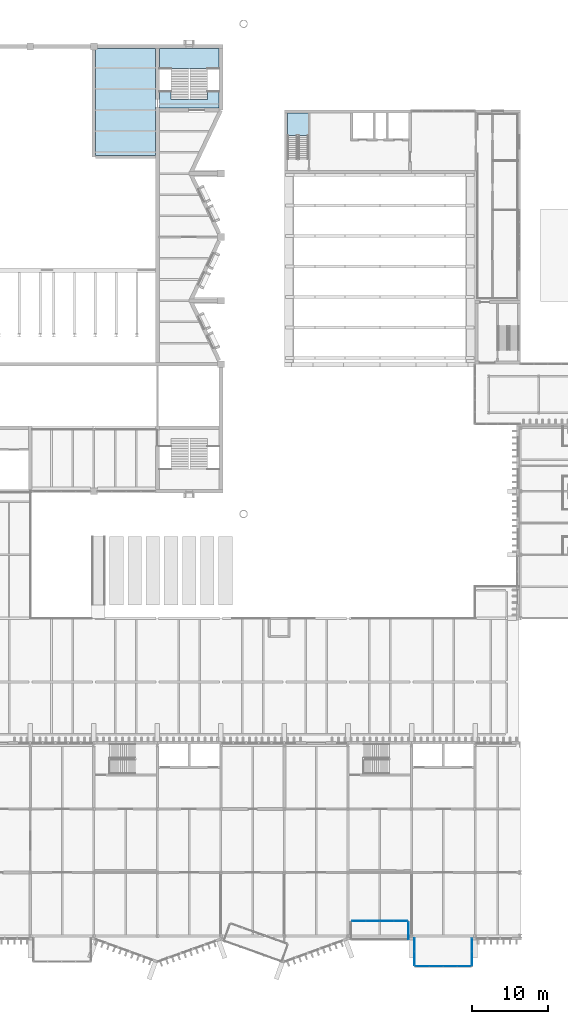
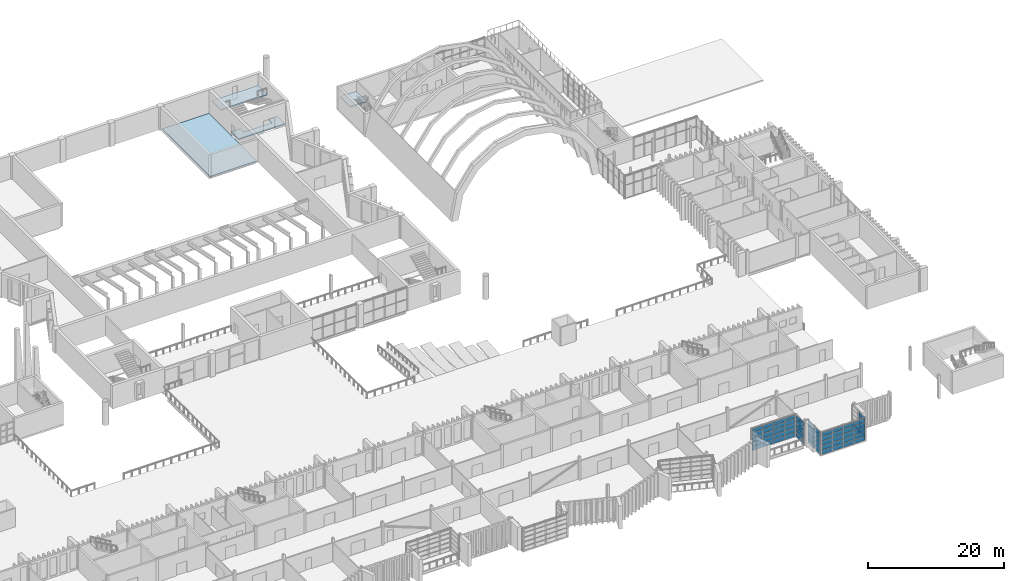
# One storey, part 53 of 96: 61 plates, 4 slabs, 7 elements without a shape of their own.
"""IFC4 building model written with IfcOpenShell, lengths in metres."""

from ifc_helpers import new_model, si_unit, direction, frame, origin, origin_2d, place, context, subcontext, project, spatial, polyline, rectangle, outline, extrude, material, layer, layer_set, type_object, element, aggregate, save


model = new_model("IFC4")

# Units and contexts
model_context = context("Model", 3, precision=1e-05, world=origin(), true_north=direction((0.0, 1.0)))
body_context = subcontext(model_context, "Body", "Model", "MODEL_VIEW")
ifc_project = project(units=[si_unit("LENGTHUNIT", "METRE"), si_unit("AREAUNIT", "SQUARE_METRE"), si_unit("VOLUMEUNIT", "CUBIC_METRE"), si_unit("PLANEANGLEUNIT", "RADIAN"), si_unit("MASSUNIT", "GRAM", prefix="KILO")], contexts=[model_context])

# Site, building, storey
site_placement = place(None, origin())
site = spatial("IfcSite", under=ifc_project, at=site_placement, CompositionType="ELEMENT")
building_placement = place(site_placement, origin())
building = spatial("IfcBuilding", under=site, at=building_placement, Name="Cresset Court Congress Hotel", CompositionType="ELEMENT")
storey_placement = place(building_placement, frame((0.0, 0.0, 6.0)))
storey = spatial("IfcBuildingStorey", under=building, at=storey_placement, Name="L01", CompositionType="ELEMENT", Elevation=6.0)

# Curtain wall, plates
ifc_material_1 = material(Name="Aluminium frame with double glazing", Category="aluminium")
ifc_layer_1 = layer(ifc_material_1, 0.199951171875)
ifc_layer_set_1 = layer_set([ifc_layer_1], Name="Glazed box curtain wall 1680 module")
curtain_wall_type = type_object("IfcCurtainWallType", Name="Glazed box curtain wall 1680 module", PredefinedType="NOTDEFINED", material=ifc_layer_set_1)
curtain_wall_1_placement = place(storey_placement, origin())
curtain_wall_1 = element("IfcCurtainWall", 1, at=curtain_wall_1_placement, inside=storey, type_object=curtain_wall_type, Name="Glazed box S0118 front", PredefinedType="NOTDEFINED")
ifc_material_2 = material(Name="Toughened double glazing", Category="glass")
ifc_layer_2 = layer(ifc_material_2, 0.028076171875)
ifc_layer_set_2 = layer_set([ifc_layer_2], Name="Box glass panel 28")
plate_type_1 = type_object("IfcPlateType", Name="Box glass panel 28", PredefinedType="CURTAIN_PANEL", material=ifc_layer_set_2)
plate_1_placement = place(storey_placement, frame((135.840087890625, 2.0, 0.06005859375), z_axis=(0.0, 0.0, 1.0), x_axis=(1.0, 0.0, 0.0)))
plate_1 = element("IfcPlate", 2, at=plate_1_placement, type_object=plate_type_1, Name="B-X1 panel 1.1", PredefinedType="CURTAIN_PANEL", context=body_context, shape_type="SweptSolid", body=[
    extrude(rectangle(XDim=1.760009765625, YDim=0.028076171875, at=origin_2d()), origin(), (0.0, 0.0, 1.0), 0.739990234375),
])
plate_2_placement = place(storey_placement, frame((135.840087890625, 2.0, 0.860107421875), z_axis=(0.0, 0.0, 1.0), x_axis=(1.0, 0.0, 0.0)))
plate_2 = element("IfcPlate", 3, at=plate_2_placement, type_object=plate_type_1, Name="B-X1 panel 1.2", PredefinedType="CURTAIN_PANEL", context=body_context, shape_type="SweptSolid", body=[
    extrude(rectangle(XDim=1.760009765625, YDim=0.028076171875, at=origin_2d()), origin(), (0.0, 0.0, 1.0), 0.77001953125),
])
plate_3_placement = place(storey_placement, frame((135.840087890625, 2.0, 1.68994140625), z_axis=(0.0, 0.0, 1.0), x_axis=(1.0, 0.0, 0.0)))
plate_3 = element("IfcPlate", 4, at=plate_3_placement, type_object=plate_type_1, Name="B-X1 panel 1.3", PredefinedType="CURTAIN_PANEL", context=body_context, shape_type="SweptSolid", body=[
    extrude(rectangle(XDim=1.760009765625, YDim=0.028076171875, at=origin_2d()), origin(), (0.0, 0.0, 1.0), 0.77001953125),
])
plate_4_placement = place(storey_placement, frame((135.840087890625, 2.0, 2.52001953125), z_axis=(0.0, 0.0, 1.0), x_axis=(1.0, 0.0, 0.0)))
plate_4 = element("IfcPlate", 5, at=plate_4_placement, type_object=plate_type_1, Name="B-X1 panel 1.4", PredefinedType="CURTAIN_PANEL", context=body_context, shape_type="SweptSolid", body=[
    extrude(rectangle(XDim=1.760009765625, YDim=0.028076171875, at=origin_2d()), origin(), (0.0, 0.0, 1.0), 0.77001953125),
])
plate_5_placement = place(storey_placement, frame((137.675048828125, 2.0, 0.06005859375), z_axis=(0.0, 0.0, 1.0), x_axis=(1.0, 0.0, 0.0)))
plate_5 = element("IfcPlate", 6, at=plate_5_placement, type_object=plate_type_1, Name="B-X1 panel 2.1", PredefinedType="CURTAIN_PANEL", context=body_context, shape_type="SweptSolid", body=[
    extrude(rectangle(XDim=1.7900390625, YDim=0.028076171875, at=origin_2d()), origin(), (0.0, 0.0, 1.0), 0.739990234375),
])
plate_6_placement = place(storey_placement, frame((137.675048828125, 2.0, 0.860107421875), z_axis=(0.0, 0.0, 1.0), x_axis=(1.0, 0.0, 0.0)))
plate_6 = element("IfcPlate", 7, at=plate_6_placement, type_object=plate_type_1, Name="B-X1 panel 2.2", PredefinedType="CURTAIN_PANEL", context=body_context, shape_type="SweptSolid", body=[
    extrude(rectangle(XDim=1.7900390625, YDim=0.028076171875, at=origin_2d()), origin(), (0.0, 0.0, 1.0), 0.77001953125),
])
plate_7_placement = place(storey_placement, frame((137.675048828125, 2.0, 1.68994140625), z_axis=(0.0, 0.0, 1.0), x_axis=(1.0, 0.0, 0.0)))
plate_7 = element("IfcPlate", 8, at=plate_7_placement, type_object=plate_type_1, Name="B-X1 panel 2.3", PredefinedType="CURTAIN_PANEL", context=body_context, shape_type="SweptSolid", body=[
    extrude(rectangle(XDim=1.7900390625, YDim=0.028076171875, at=origin_2d()), origin(), (0.0, 0.0, 1.0), 0.77001953125),
])
plate_8_placement = place(storey_placement, frame((137.675048828125, 2.0, 2.52001953125), z_axis=(0.0, 0.0, 1.0), x_axis=(1.0, 0.0, 0.0)))
plate_8 = element("IfcPlate", 9, at=plate_8_placement, type_object=plate_type_1, Name="B-X1 panel 2.4", PredefinedType="CURTAIN_PANEL", context=body_context, shape_type="SweptSolid", body=[
    extrude(rectangle(XDim=1.7900390625, YDim=0.028076171875, at=origin_2d()), origin(), (0.0, 0.0, 1.0), 0.77001953125),
])
plate_9_placement = place(storey_placement, frame((139.52490234375, 2.0, 0.06005859375), z_axis=(0.0, 0.0, 1.0), x_axis=(1.0, 0.0, 0.0)))
plate_9 = element("IfcPlate", 10, at=plate_9_placement, type_object=plate_type_1, Name="B-X1 panel 3.1", PredefinedType="CURTAIN_PANEL", context=body_context, shape_type="SweptSolid", body=[
    extrude(rectangle(XDim=1.7900390625, YDim=0.028076171875, at=origin_2d()), origin(), (0.0, 0.0, 1.0), 0.739990234375),
])
plate_10_placement = place(storey_placement, frame((139.52490234375, 2.0, 0.860107421875), z_axis=(0.0, 0.0, 1.0), x_axis=(1.0, 0.0, 0.0)))
plate_10 = element("IfcPlate", 11, at=plate_10_placement, type_object=plate_type_1, Name="B-X1 panel 3.2", PredefinedType="CURTAIN_PANEL", context=body_context, shape_type="SweptSolid", body=[
    extrude(rectangle(XDim=1.7900390625, YDim=0.028076171875, at=origin_2d()), origin(), (0.0, 0.0, 1.0), 0.77001953125),
])
plate_11_placement = place(storey_placement, frame((139.52490234375, 2.0, 1.68994140625), z_axis=(0.0, 0.0, 1.0), x_axis=(1.0, 0.0, 0.0)))
plate_11 = element("IfcPlate", 12, at=plate_11_placement, type_object=plate_type_1, Name="B-X1 panel 3.3", PredefinedType="CURTAIN_PANEL", context=body_context, shape_type="SweptSolid", body=[
    extrude(rectangle(XDim=1.7900390625, YDim=0.028076171875, at=origin_2d()), origin(), (0.0, 0.0, 1.0), 0.77001953125),
])
plate_12_placement = place(storey_placement, frame((139.52490234375, 2.0, 2.52001953125), z_axis=(0.0, 0.0, 1.0), x_axis=(1.0, 0.0, 0.0)))
plate_12 = element("IfcPlate", 13, at=plate_12_placement, type_object=plate_type_1, Name="B-X1 panel 3.4", PredefinedType="CURTAIN_PANEL", context=body_context, shape_type="SweptSolid", body=[
    extrude(rectangle(XDim=1.7900390625, YDim=0.028076171875, at=origin_2d()), origin(), (0.0, 0.0, 1.0), 0.77001953125),
])
plate_13_placement = place(storey_placement, frame((141.360107421875, 2.0, 0.06005859375), z_axis=(0.0, 0.0, 1.0), x_axis=(1.0, 0.0, 0.0)))
plate_13 = element("IfcPlate", 14, at=plate_13_placement, type_object=plate_type_1, Name="B-X1 panel 4.1", PredefinedType="CURTAIN_PANEL", context=body_context, shape_type="SweptSolid", body=[
    extrude(rectangle(XDim=1.760009765625, YDim=0.028076171875, at=origin_2d()), origin(), (0.0, 0.0, 1.0), 0.739990234375),
])
plate_14_placement = place(storey_placement, frame((141.360107421875, 2.0, 0.860107421875), z_axis=(0.0, 0.0, 1.0), x_axis=(1.0, 0.0, 0.0)))
plate_14 = element("IfcPlate", 15, at=plate_14_placement, type_object=plate_type_1, Name="B-X1 panel 4.2", PredefinedType="CURTAIN_PANEL", context=body_context, shape_type="SweptSolid", body=[
    extrude(rectangle(XDim=1.760009765625, YDim=0.028076171875, at=origin_2d()), origin(), (0.0, 0.0, 1.0), 0.77001953125),
])
plate_15_placement = place(storey_placement, frame((141.360107421875, 2.0, 1.68994140625), z_axis=(0.0, 0.0, 1.0), x_axis=(1.0, 0.0, 0.0)))
plate_15 = element("IfcPlate", 16, at=plate_15_placement, type_object=plate_type_1, Name="B-X1 panel 4.3", PredefinedType="CURTAIN_PANEL", context=body_context, shape_type="SweptSolid", body=[
    extrude(rectangle(XDim=1.760009765625, YDim=0.028076171875, at=origin_2d()), origin(), (0.0, 0.0, 1.0), 0.77001953125),
])
plate_16_placement = place(storey_placement, frame((141.360107421875, 2.0, 2.52001953125), z_axis=(0.0, 0.0, 1.0), x_axis=(1.0, 0.0, 0.0)))
plate_16 = element("IfcPlate", 17, at=plate_16_placement, type_object=plate_type_1, Name="B-X1 panel 4.4", PredefinedType="CURTAIN_PANEL", context=body_context, shape_type="SweptSolid", body=[
    extrude(rectangle(XDim=1.760009765625, YDim=0.028076171875, at=origin_2d()), origin(), (0.0, 0.0, 1.0), 0.77001953125),
])

curtain_wall_2_placement = place(storey_placement, origin())
curtain_wall_2 = element("IfcCurtainWall", 18, at=curtain_wall_2_placement, inside=storey, type_object=curtain_wall_type, Name="Glazed box S0118 side", PredefinedType="NOTDEFINED")
plate_17_placement = place(storey_placement, frame((142.39990234375, 0.699951171875, 0.06005859375), z_axis=(0.0, 0.0, 1.0), x_axis=(0.0, 1.0, 0.0)))
plate_17 = element("IfcPlate", 19, at=plate_17_placement, type_object=plate_type_1, Name="B-X1 panel 1.1", PredefinedType="CURTAIN_PANEL", context=body_context, shape_type="SweptSolid", body=[
    extrude(rectangle(XDim=2.280029296875, YDim=0.028076171875, at=origin_2d()), origin(), (0.0, 0.0, 1.0), 0.739990234375),
])
plate_18_placement = place(storey_placement, frame((142.39990234375, 0.699951171875, 0.860107421875), z_axis=(0.0, 0.0, 1.0), x_axis=(0.0, 1.0, 0.0)))
plate_18 = element("IfcPlate", 20, at=plate_18_placement, type_object=plate_type_1, Name="B-X1 panel 1.2", PredefinedType="CURTAIN_PANEL", context=body_context, shape_type="SweptSolid", body=[
    extrude(rectangle(XDim=2.280029296875, YDim=0.028076171875, at=origin_2d()), origin(), (0.0, 0.0, 1.0), 0.77001953125),
])
plate_19_placement = place(storey_placement, frame((142.39990234375, 0.699951171875, 1.68994140625), z_axis=(0.0, 0.0, 1.0), x_axis=(0.0, 1.0, 0.0)))
plate_19 = element("IfcPlate", 21, at=plate_19_placement, type_object=plate_type_1, Name="B-X1 panel 1.3", PredefinedType="CURTAIN_PANEL", context=body_context, shape_type="SweptSolid", body=[
    extrude(rectangle(XDim=2.280029296875, YDim=0.028076171875, at=origin_2d()), origin(), (0.0, 0.0, 1.0), 0.77001953125),
])
plate_20_placement = place(storey_placement, frame((142.39990234375, 0.699951171875, 2.52001953125), z_axis=(0.0, 0.0, 1.0), x_axis=(0.0, 1.0, 0.0)))
plate_20 = element("IfcPlate", 22, at=plate_20_placement, type_object=plate_type_1, Name="B-X1 panel 1.4", PredefinedType="CURTAIN_PANEL", context=body_context, shape_type="SweptSolid", body=[
    extrude(rectangle(XDim=2.280029296875, YDim=0.028076171875, at=origin_2d()), origin(), (0.0, 0.0, 1.0), 0.77001953125),
])

curtain_wall_3_placement = place(storey_placement, origin())
curtain_wall_3 = element("IfcCurtainWall", 23, at=curtain_wall_3_placement, inside=storey, type_object=curtain_wall_type, Name="Glazed box S0121 front", PredefinedType="NOTDEFINED")
plate_21_placement = place(storey_placement, frame((144.239990234375, -4.0, 0.06005859375), z_axis=(0.0, 0.0, 1.0), x_axis=(1.0, 0.0, 0.0)))
plate_21 = element("IfcPlate", 24, at=plate_21_placement, type_object=plate_type_1, Name="B-X1 panel 1.1", PredefinedType="CURTAIN_PANEL", context=body_context, shape_type="SweptSolid", body=[
    extrude(rectangle(XDim=1.760009765625, YDim=0.028076171875, at=origin_2d()), origin(), (0.0, 0.0, 1.0), 0.739990234375),
])
plate_22_placement = place(storey_placement, frame((144.239990234375, -4.0, 0.860107421875), z_axis=(0.0, 0.0, 1.0), x_axis=(1.0, 0.0, 0.0)))
plate_22 = element("IfcPlate", 25, at=plate_22_placement, type_object=plate_type_1, Name="B-X1 panel 1.2", PredefinedType="CURTAIN_PANEL", context=body_context, shape_type="SweptSolid", body=[
    extrude(rectangle(XDim=1.760009765625, YDim=0.028076171875, at=origin_2d()), origin(), (0.0, 0.0, 1.0), 0.77001953125),
])
plate_23_placement = place(storey_placement, frame((144.239990234375, -4.0, 1.68994140625), z_axis=(0.0, 0.0, 1.0), x_axis=(1.0, 0.0, 0.0)))
plate_23 = element("IfcPlate", 26, at=plate_23_placement, type_object=plate_type_1, Name="B-X1 panel 1.3", PredefinedType="CURTAIN_PANEL", context=body_context, shape_type="SweptSolid", body=[
    extrude(rectangle(XDim=1.760009765625, YDim=0.028076171875, at=origin_2d()), origin(), (0.0, 0.0, 1.0), 0.77001953125),
])
plate_24_placement = place(storey_placement, frame((144.239990234375, -4.0, 2.52001953125), z_axis=(0.0, 0.0, 1.0), x_axis=(1.0, 0.0, 0.0)))
plate_24 = element("IfcPlate", 27, at=plate_24_placement, type_object=plate_type_1, Name="B-X1 panel 1.4", PredefinedType="CURTAIN_PANEL", context=body_context, shape_type="SweptSolid", body=[
    extrude(rectangle(XDim=1.760009765625, YDim=0.028076171875, at=origin_2d()), origin(), (0.0, 0.0, 1.0), 0.77001953125),
])
plate_25_placement = place(storey_placement, frame((146.074951171875, -4.0, 0.06005859375), z_axis=(0.0, 0.0, 1.0), x_axis=(1.0, 0.0, 0.0)))
plate_25 = element("IfcPlate", 28, at=plate_25_placement, type_object=plate_type_1, Name="B-X1 panel 2.1", PredefinedType="CURTAIN_PANEL", context=body_context, shape_type="SweptSolid", body=[
    extrude(rectangle(XDim=1.7900390625, YDim=0.028076171875, at=origin_2d()), origin(), (0.0, 0.0, 1.0), 0.739990234375),
])
plate_26_placement = place(storey_placement, frame((146.074951171875, -4.0, 0.860107421875), z_axis=(0.0, 0.0, 1.0), x_axis=(1.0, 0.0, 0.0)))
plate_26 = element("IfcPlate", 29, at=plate_26_placement, type_object=plate_type_1, Name="B-X1 panel 2.2", PredefinedType="CURTAIN_PANEL", context=body_context, shape_type="SweptSolid", body=[
    extrude(rectangle(XDim=1.7900390625, YDim=0.028076171875, at=origin_2d()), origin(), (0.0, 0.0, 1.0), 0.77001953125),
])
plate_27_placement = place(storey_placement, frame((146.074951171875, -4.0, 1.68994140625), z_axis=(0.0, 0.0, 1.0), x_axis=(1.0, 0.0, 0.0)))
plate_27 = element("IfcPlate", 30, at=plate_27_placement, type_object=plate_type_1, Name="B-X1 panel 2.3", PredefinedType="CURTAIN_PANEL", context=body_context, shape_type="SweptSolid", body=[
    extrude(rectangle(XDim=1.7900390625, YDim=0.028076171875, at=origin_2d()), origin(), (0.0, 0.0, 1.0), 0.77001953125),
])
plate_28_placement = place(storey_placement, frame((146.074951171875, -4.0, 2.52001953125), z_axis=(0.0, 0.0, 1.0), x_axis=(1.0, 0.0, 0.0)))
plate_28 = element("IfcPlate", 31, at=plate_28_placement, type_object=plate_type_1, Name="B-X1 panel 2.4", PredefinedType="CURTAIN_PANEL", context=body_context, shape_type="SweptSolid", body=[
    extrude(rectangle(XDim=1.7900390625, YDim=0.028076171875, at=origin_2d()), origin(), (0.0, 0.0, 1.0), 0.77001953125),
])
plate_29_placement = place(storey_placement, frame((147.925048828125, -4.0, 0.06005859375), z_axis=(0.0, 0.0, 1.0), x_axis=(1.0, 0.0, 0.0)))
plate_29 = element("IfcPlate", 32, at=plate_29_placement, type_object=plate_type_1, Name="B-X1 panel 3.1", PredefinedType="CURTAIN_PANEL", context=body_context, shape_type="SweptSolid", body=[
    extrude(rectangle(XDim=1.7900390625, YDim=0.028076171875, at=origin_2d()), origin(), (0.0, 0.0, 1.0), 0.739990234375),
])
plate_30_placement = place(storey_placement, frame((147.925048828125, -4.0, 0.860107421875), z_axis=(0.0, 0.0, 1.0), x_axis=(1.0, 0.0, 0.0)))
plate_30 = element("IfcPlate", 33, at=plate_30_placement, type_object=plate_type_1, Name="B-X1 panel 3.2", PredefinedType="CURTAIN_PANEL", context=body_context, shape_type="SweptSolid", body=[
    extrude(rectangle(XDim=1.7900390625, YDim=0.028076171875, at=origin_2d()), origin(), (0.0, 0.0, 1.0), 0.77001953125),
])
plate_31_placement = place(storey_placement, frame((147.925048828125, -4.0, 1.68994140625), z_axis=(0.0, 0.0, 1.0), x_axis=(1.0, 0.0, 0.0)))
plate_31 = element("IfcPlate", 34, at=plate_31_placement, type_object=plate_type_1, Name="B-X1 panel 3.3", PredefinedType="CURTAIN_PANEL", context=body_context, shape_type="SweptSolid", body=[
    extrude(rectangle(XDim=1.7900390625, YDim=0.028076171875, at=origin_2d()), origin(), (0.0, 0.0, 1.0), 0.77001953125),
])
plate_32_placement = place(storey_placement, frame((147.925048828125, -4.0, 2.52001953125), z_axis=(0.0, 0.0, 1.0), x_axis=(1.0, 0.0, 0.0)))
plate_32 = element("IfcPlate", 35, at=plate_32_placement, type_object=plate_type_1, Name="B-X1 panel 3.4", PredefinedType="CURTAIN_PANEL", context=body_context, shape_type="SweptSolid", body=[
    extrude(rectangle(XDim=1.7900390625, YDim=0.028076171875, at=origin_2d()), origin(), (0.0, 0.0, 1.0), 0.77001953125),
])
plate_33_placement = place(storey_placement, frame((149.760009765625, -4.0, 0.06005859375), z_axis=(0.0, 0.0, 1.0), x_axis=(1.0, 0.0, 0.0)))
plate_33 = element("IfcPlate", 36, at=plate_33_placement, type_object=plate_type_1, Name="B-X1 panel 4.1", PredefinedType="CURTAIN_PANEL", context=body_context, shape_type="SweptSolid", body=[
    extrude(rectangle(XDim=1.760009765625, YDim=0.028076171875, at=origin_2d()), origin(), (0.0, 0.0, 1.0), 0.739990234375),
])
plate_34_placement = place(storey_placement, frame((149.760009765625, -4.0, 0.860107421875), z_axis=(0.0, 0.0, 1.0), x_axis=(1.0, 0.0, 0.0)))
plate_34 = element("IfcPlate", 37, at=plate_34_placement, type_object=plate_type_1, Name="B-X1 panel 4.2", PredefinedType="CURTAIN_PANEL", context=body_context, shape_type="SweptSolid", body=[
    extrude(rectangle(XDim=1.760009765625, YDim=0.028076171875, at=origin_2d()), origin(), (0.0, 0.0, 1.0), 0.77001953125),
])
plate_35_placement = place(storey_placement, frame((149.760009765625, -4.0, 1.68994140625), z_axis=(0.0, 0.0, 1.0), x_axis=(1.0, 0.0, 0.0)))
plate_35 = element("IfcPlate", 38, at=plate_35_placement, type_object=plate_type_1, Name="B-X1 panel 4.3", PredefinedType="CURTAIN_PANEL", context=body_context, shape_type="SweptSolid", body=[
    extrude(rectangle(XDim=1.760009765625, YDim=0.028076171875, at=origin_2d()), origin(), (0.0, 0.0, 1.0), 0.77001953125),
])
plate_36_placement = place(storey_placement, frame((149.760009765625, -4.0, 2.52001953125), z_axis=(0.0, 0.0, 1.0), x_axis=(1.0, 0.0, 0.0)))
plate_36 = element("IfcPlate", 39, at=plate_36_placement, type_object=plate_type_1, Name="B-X1 panel 4.4", PredefinedType="CURTAIN_PANEL", context=body_context, shape_type="SweptSolid", body=[
    extrude(rectangle(XDim=1.760009765625, YDim=0.028076171875, at=origin_2d()), origin(), (0.0, 0.0, 1.0), 0.77001953125),
])

curtain_wall_4_placement = place(storey_placement, origin())
curtain_wall_4 = element("IfcCurtainWall", 40, at=curtain_wall_4_placement, inside=storey, type_object=curtain_wall_type, Name="Glazed box S0121 side", PredefinedType="NOTDEFINED")
plate_37_placement = place(storey_placement, frame((143.199951171875, -1.139892578125, 0.06005859375), z_axis=(0.0, 0.0, 1.0), x_axis=(0.0, -1.0, 0.0)))
plate_37 = element("IfcPlate", 41, at=plate_37_placement, type_object=plate_type_1, Name="B-X1 panel 1.1", PredefinedType="CURTAIN_PANEL", context=body_context, shape_type="SweptSolid", body=[
    extrude(rectangle(XDim=1.760009765625, YDim=0.028076171875, at=origin_2d()), origin(), (0.0, 0.0, 1.0), 0.739990234375),
])
plate_38_placement = place(storey_placement, frame((143.199951171875, -1.139892578125, 0.860107421875), z_axis=(0.0, 0.0, 1.0), x_axis=(0.0, -1.0, 0.0)))
plate_38 = element("IfcPlate", 42, at=plate_38_placement, type_object=plate_type_1, Name="B-X1 panel 1.2", PredefinedType="CURTAIN_PANEL", context=body_context, shape_type="SweptSolid", body=[
    extrude(rectangle(XDim=1.760009765625, YDim=0.028076171875, at=origin_2d()), origin(), (0.0, 0.0, 1.0), 0.77001953125),
])
plate_39_placement = place(storey_placement, frame((143.199951171875, -1.139892578125, 1.68994140625), z_axis=(0.0, 0.0, 1.0), x_axis=(0.0, -1.0, 0.0)))
plate_39 = element("IfcPlate", 43, at=plate_39_placement, type_object=plate_type_1, Name="B-X1 panel 1.3", PredefinedType="CURTAIN_PANEL", context=body_context, shape_type="SweptSolid", body=[
    extrude(rectangle(XDim=1.760009765625, YDim=0.028076171875, at=origin_2d()), origin(), (0.0, 0.0, 1.0), 0.77001953125),
])
plate_40_placement = place(storey_placement, frame((143.199951171875, -1.139892578125, 2.52001953125), z_axis=(0.0, 0.0, 1.0), x_axis=(0.0, -1.0, 0.0)))
plate_40 = element("IfcPlate", 44, at=plate_40_placement, type_object=plate_type_1, Name="B-X1 panel 1.4", PredefinedType="CURTAIN_PANEL", context=body_context, shape_type="SweptSolid", body=[
    extrude(rectangle(XDim=1.760009765625, YDim=0.028076171875, at=origin_2d()), origin(), (0.0, 0.0, 1.0), 0.77001953125),
])
plate_41_placement = place(storey_placement, frame((143.199951171875, -2.9599609375, 0.06005859375), z_axis=(0.0, 0.0, 1.0), x_axis=(0.0, -1.0, 0.0)))
plate_41 = element("IfcPlate", 45, at=plate_41_placement, type_object=plate_type_1, Name="B-X1 panel 2.1", PredefinedType="CURTAIN_PANEL", context=body_context, shape_type="SweptSolid", body=[
    extrude(rectangle(XDim=1.760009765625, YDim=0.028076171875, at=origin_2d()), origin(), (0.0, 0.0, 1.0), 0.739990234375),
])
plate_42_placement = place(storey_placement, frame((143.199951171875, -2.9599609375, 0.860107421875), z_axis=(0.0, 0.0, 1.0), x_axis=(0.0, -1.0, 0.0)))
plate_42 = element("IfcPlate", 46, at=plate_42_placement, type_object=plate_type_1, Name="B-X1 panel 2.2", PredefinedType="CURTAIN_PANEL", context=body_context, shape_type="SweptSolid", body=[
    extrude(rectangle(XDim=1.760009765625, YDim=0.028076171875, at=origin_2d()), origin(), (0.0, 0.0, 1.0), 0.77001953125),
])
plate_43_placement = place(storey_placement, frame((143.199951171875, -2.9599609375, 1.68994140625), z_axis=(0.0, 0.0, 1.0), x_axis=(0.0, -1.0, 0.0)))
plate_43 = element("IfcPlate", 47, at=plate_43_placement, type_object=plate_type_1, Name="B-X1 panel 2.3", PredefinedType="CURTAIN_PANEL", context=body_context, shape_type="SweptSolid", body=[
    extrude(rectangle(XDim=1.760009765625, YDim=0.028076171875, at=origin_2d()), origin(), (0.0, 0.0, 1.0), 0.77001953125),
])
plate_44_placement = place(storey_placement, frame((143.199951171875, -2.9599609375, 2.52001953125), z_axis=(0.0, 0.0, 1.0), x_axis=(0.0, -1.0, 0.0)))
plate_44 = element("IfcPlate", 48, at=plate_44_placement, type_object=plate_type_1, Name="B-X1 panel 2.4", PredefinedType="CURTAIN_PANEL", context=body_context, shape_type="SweptSolid", body=[
    extrude(rectangle(XDim=1.760009765625, YDim=0.028076171875, at=origin_2d()), origin(), (0.0, 0.0, 1.0), 0.77001953125),
])

curtain_wall_5_placement = place(storey_placement, origin())
curtain_wall_5 = element("IfcCurtainWall", 49, at=curtain_wall_5_placement, inside=storey, type_object=curtain_wall_type, Name="Glazed box S0121 side", PredefinedType="NOTDEFINED")
plate_45_placement = place(storey_placement, frame((150.800048828125, -1.139892578125, 0.06005859375), z_axis=(0.0, 0.0, 1.0), x_axis=(0.0, -1.0, 0.0)))
plate_45 = element("IfcPlate", 50, at=plate_45_placement, type_object=plate_type_1, Name="B-X1 panel 1.1", PredefinedType="CURTAIN_PANEL", context=body_context, shape_type="SweptSolid", body=[
    extrude(rectangle(XDim=1.760009765625, YDim=0.028076171875, at=origin_2d()), origin(), (0.0, 0.0, 1.0), 0.739990234375),
])
plate_46_placement = place(storey_placement, frame((150.800048828125, -2.9599609375, 0.06005859375), z_axis=(0.0, 0.0, 1.0), x_axis=(0.0, -1.0, 0.0)))
plate_46 = element("IfcPlate", 51, at=plate_46_placement, type_object=plate_type_1, Name="B-X1 panel 2.1", PredefinedType="CURTAIN_PANEL", context=body_context, shape_type="SweptSolid", body=[
    extrude(rectangle(XDim=1.760009765625, YDim=0.028076171875, at=origin_2d()), origin(), (0.0, 0.0, 1.0), 0.739990234375),
])
plate_47_placement = place(storey_placement, frame((150.800048828125, -2.9599609375, 0.860107421875), z_axis=(0.0, 0.0, 1.0), x_axis=(0.0, -1.0, 0.0)))
plate_47 = element("IfcPlate", 52, at=plate_47_placement, type_object=plate_type_1, Name="B-X1 panel 2.2", PredefinedType="CURTAIN_PANEL", context=body_context, shape_type="SweptSolid", body=[
    extrude(rectangle(XDim=1.760009765625, YDim=0.028076171875, at=origin_2d()), origin(), (0.0, 0.0, 1.0), 0.77001953125),
])
plate_48_placement = place(storey_placement, frame((150.800048828125, -2.9599609375, 1.68994140625), z_axis=(0.0, 0.0, 1.0), x_axis=(0.0, -1.0, 0.0)))
plate_48 = element("IfcPlate", 53, at=plate_48_placement, type_object=plate_type_1, Name="B-X1 panel 2.3", PredefinedType="CURTAIN_PANEL", context=body_context, shape_type="SweptSolid", body=[
    extrude(rectangle(XDim=1.760009765625, YDim=0.028076171875, at=origin_2d()), origin(), (0.0, 0.0, 1.0), 0.77001953125),
])
plate_49_placement = place(storey_placement, frame((150.800048828125, -2.9599609375, 2.52001953125), z_axis=(0.0, 0.0, 1.0), x_axis=(0.0, -1.0, 0.0)))
plate_49 = element("IfcPlate", 54, at=plate_49_placement, type_object=plate_type_1, Name="B-X1 panel 2.4", PredefinedType="CURTAIN_PANEL", context=body_context, shape_type="SweptSolid", body=[
    extrude(rectangle(XDim=1.760009765625, YDim=0.028076171875, at=origin_2d()), origin(), (0.0, 0.0, 1.0), 0.77001953125),
])

# Plate
ifc_material_3 = material(Name="Insulated aluminium spandrel panel", Category="aluminium")
ifc_layer_3 = layer(ifc_material_3, 0.0400390625)
ifc_layer_set_3 = layer_set([ifc_layer_3], Name="Box spandrel panel 40")
plate_type_2 = type_object("IfcPlateType", Name="Box spandrel panel 40", PredefinedType="CURTAIN_PANEL", material=ifc_layer_set_3)
plate_50_placement = place(storey_placement, frame((135.840087890625, 2.0, 3.35009765625), z_axis=(0.0, 0.0, 1.0), x_axis=(1.0, 0.0, 0.0)))
plate_50 = element("IfcPlate", 55, at=plate_50_placement, type_object=plate_type_2, Name="B-X1 spandrel panel 1.5", PredefinedType="CURTAIN_PANEL", context=body_context, shape_type="SweptSolid", body=[
    extrude(rectangle(XDim=1.760009765625, YDim=0.0400390625, at=origin_2d()), origin(), (0.0, 0.0, 1.0), 0.639892578125),
])

plate_51_placement = place(storey_placement, frame((137.675048828125, 2.0, 3.35009765625), z_axis=(0.0, 0.0, 1.0), x_axis=(1.0, 0.0, 0.0)))
plate_51 = element("IfcPlate", 56, at=plate_51_placement, type_object=plate_type_2, Name="B-X1 spandrel panel 2.5", PredefinedType="CURTAIN_PANEL", context=body_context, shape_type="SweptSolid", body=[
    extrude(rectangle(XDim=1.7900390625, YDim=0.0400390625, at=origin_2d()), origin(), (0.0, 0.0, 1.0), 0.639892578125),
])

plate_52_placement = place(storey_placement, frame((139.52490234375, 2.0, 3.35009765625), z_axis=(0.0, 0.0, 1.0), x_axis=(1.0, 0.0, 0.0)))
plate_52 = element("IfcPlate", 57, at=plate_52_placement, type_object=plate_type_2, Name="B-X1 spandrel panel 3.5", PredefinedType="CURTAIN_PANEL", context=body_context, shape_type="SweptSolid", body=[
    extrude(rectangle(XDim=1.7900390625, YDim=0.0400390625, at=origin_2d()), origin(), (0.0, 0.0, 1.0), 0.639892578125),
])

plate_53_placement = place(storey_placement, frame((141.360107421875, 2.0, 3.35009765625), z_axis=(0.0, 0.0, 1.0), x_axis=(1.0, 0.0, 0.0)))
plate_53 = element("IfcPlate", 58, at=plate_53_placement, type_object=plate_type_2, Name="B-X1 spandrel panel 4.5", PredefinedType="CURTAIN_PANEL", context=body_context, shape_type="SweptSolid", body=[
    extrude(rectangle(XDim=1.760009765625, YDim=0.0400390625, at=origin_2d()), origin(), (0.0, 0.0, 1.0), 0.639892578125),
])

aggregate(curtain_wall_1, [plate_1, plate_2, plate_3, plate_4, plate_50, plate_5, plate_6, plate_7, plate_8, plate_51, plate_9, plate_10, plate_11, plate_12, plate_52, plate_13, plate_14, plate_15, plate_16, plate_53])

plate_54_placement = place(storey_placement, frame((142.39990234375, 0.699951171875, 3.35009765625), z_axis=(0.0, 0.0, 1.0), x_axis=(0.0, 1.0, 0.0)))
plate_54 = element("IfcPlate", 59, at=plate_54_placement, type_object=plate_type_2, Name="B-X1 spandrel panel 1.5", PredefinedType="CURTAIN_PANEL", context=body_context, shape_type="SweptSolid", body=[
    extrude(rectangle(XDim=2.280029296875, YDim=0.0400390625, at=origin_2d()), origin(), (0.0, 0.0, 1.0), 0.639892578125),
])

aggregate(curtain_wall_2, [plate_17, plate_18, plate_19, plate_20, plate_54])

plate_55_placement = place(storey_placement, frame((144.239990234375, -4.0, 3.35009765625), z_axis=(0.0, 0.0, 1.0), x_axis=(1.0, 0.0, 0.0)))
plate_55 = element("IfcPlate", 60, at=plate_55_placement, type_object=plate_type_2, Name="B-X1 spandrel panel 1.5", PredefinedType="CURTAIN_PANEL", context=body_context, shape_type="SweptSolid", body=[
    extrude(rectangle(XDim=1.760009765625, YDim=0.0400390625, at=origin_2d()), origin(), (0.0, 0.0, 1.0), 0.639892578125),
])

plate_56_placement = place(storey_placement, frame((146.074951171875, -4.0, 3.35009765625), z_axis=(0.0, 0.0, 1.0), x_axis=(1.0, 0.0, 0.0)))
plate_56 = element("IfcPlate", 61, at=plate_56_placement, type_object=plate_type_2, Name="B-X1 spandrel panel 2.5", PredefinedType="CURTAIN_PANEL", context=body_context, shape_type="SweptSolid", body=[
    extrude(rectangle(XDim=1.7900390625, YDim=0.0400390625, at=origin_2d()), origin(), (0.0, 0.0, 1.0), 0.639892578125),
])

plate_57_placement = place(storey_placement, frame((147.925048828125, -4.0, 3.35009765625), z_axis=(0.0, 0.0, 1.0), x_axis=(1.0, 0.0, 0.0)))
plate_57 = element("IfcPlate", 62, at=plate_57_placement, type_object=plate_type_2, Name="B-X1 spandrel panel 3.5", PredefinedType="CURTAIN_PANEL", context=body_context, shape_type="SweptSolid", body=[
    extrude(rectangle(XDim=1.7900390625, YDim=0.0400390625, at=origin_2d()), origin(), (0.0, 0.0, 1.0), 0.639892578125),
])

plate_58_placement = place(storey_placement, frame((149.760009765625, -4.0, 3.35009765625), z_axis=(0.0, 0.0, 1.0), x_axis=(1.0, 0.0, 0.0)))
plate_58 = element("IfcPlate", 63, at=plate_58_placement, type_object=plate_type_2, Name="B-X1 spandrel panel 4.5", PredefinedType="CURTAIN_PANEL", context=body_context, shape_type="SweptSolid", body=[
    extrude(rectangle(XDim=1.760009765625, YDim=0.0400390625, at=origin_2d()), origin(), (0.0, 0.0, 1.0), 0.639892578125),
])

aggregate(curtain_wall_3, [plate_21, plate_22, plate_23, plate_24, plate_55, plate_25, plate_26, plate_27, plate_28, plate_56, plate_29, plate_30, plate_31, plate_32, plate_57, plate_33, plate_34, plate_35, plate_36, plate_58])

plate_59_placement = place(storey_placement, frame((143.199951171875, -1.139892578125, 3.35009765625), z_axis=(0.0, 0.0, 1.0), x_axis=(0.0, -1.0, 0.0)))
plate_59 = element("IfcPlate", 64, at=plate_59_placement, type_object=plate_type_2, Name="B-X1 spandrel panel 1.5", PredefinedType="CURTAIN_PANEL", context=body_context, shape_type="SweptSolid", body=[
    extrude(rectangle(XDim=1.760009765625, YDim=0.0400390625, at=origin_2d()), origin(), (0.0, 0.0, 1.0), 0.639892578125),
])

plate_60_placement = place(storey_placement, frame((143.199951171875, -2.9599609375, 3.35009765625), z_axis=(0.0, 0.0, 1.0), x_axis=(0.0, -1.0, 0.0)))
plate_60 = element("IfcPlate", 65, at=plate_60_placement, type_object=plate_type_2, Name="B-X1 spandrel panel 2.5", PredefinedType="CURTAIN_PANEL", context=body_context, shape_type="SweptSolid", body=[
    extrude(rectangle(XDim=1.760009765625, YDim=0.0400390625, at=origin_2d()), origin(), (0.0, 0.0, 1.0), 0.639892578125),
])

aggregate(curtain_wall_4, [plate_37, plate_38, plate_39, plate_40, plate_59, plate_41, plate_42, plate_43, plate_44, plate_60])

plate_61_placement = place(storey_placement, frame((150.800048828125, -2.9599609375, 3.35009765625), z_axis=(0.0, 0.0, 1.0), x_axis=(0.0, -1.0, 0.0)))
plate_61 = element("IfcPlate", 66, at=plate_61_placement, type_object=plate_type_2, Name="B-X1 spandrel panel 2.5", PredefinedType="CURTAIN_PANEL", context=body_context, shape_type="SweptSolid", body=[
    extrude(rectangle(XDim=1.760009765625, YDim=0.0400390625, at=origin_2d()), origin(), (0.0, 0.0, 1.0), 0.639892578125),
])

aggregate(curtain_wall_5, [plate_45, plate_46, plate_47, plate_48, plate_49, plate_61])

# Slabs
ifc_material_4 = material(Name="Concrete C35", Category="concrete")
ifc_layer_4 = layer(ifc_material_4, 0.14990234375)
ifc_layer_set_4 = layer_set([ifc_layer_4], Name="Composite floor slab 150")
slab_type_1 = type_object("IfcSlabType", Name="Composite floor slab 150", PredefinedType="FLOOR", material=ifc_layer_set_4)
slab_1_placement = place(storey_placement, frame((0.0, 0.0, -0.14990234375)))
element("IfcSlab", 67, at=slab_1_placement, inside=storey, type_object=slab_type_1, Name="Slab C-W201", PredefinedType="FLOOR", context=body_context, shape_type="SweptSolid", body=[
    extrude(outline(polyline([(108.949951171875, 103.199951171875), (108.949951171875, 117.35009765625), (101.0, 117.35009765625), (101.0, 103.199951171875), (108.949951171875, 103.199951171875)])), origin(), (0.0, 0.0, 1.0), 0.14990234375),
])
ifc_material_5 = material(Name="Concrete C35", Category="concrete")
ifc_layer_5 = layer(ifc_material_5, 0.199951171875)
ifc_layer_set_5 = layer_set([ifc_layer_5], Name="Core stair floor slab 200")
slab_type_2 = type_object("IfcSlabType", Name="Core stair floor slab 200", PredefinedType="FLOOR", material=ifc_layer_set_5)
slab_2_placement = place(storey_placement, frame((0.0, 0.0, -0.199951171875)))
element("IfcSlab", 68, at=slab_2_placement, inside=storey, type_object=slab_type_2, Name="Stair landing slab CC-C4L01", PredefinedType="FLOOR", context=body_context, shape_type="SweptSolid", body=[
    extrude(outline(polyline([(117.35009765625, 109.449951171875), (115.800048828125, 109.449951171875), (111.0, 109.449951171875), (109.449951171875, 109.449951171875), (109.449951171875, 110.600830078125), (109.449951171875, 111.64990234375), (111.0, 111.64990234375), (111.0, 110.600830078125), (115.800048828125, 110.600830078125), (115.800048828125, 111.64990234375), (117.35009765625, 111.64990234375), (117.35009765625, 110.600830078125), (117.35009765625, 109.449951171875)])), origin(), (0.0, 0.0, 1.0), 0.199951171875),
])

# Stair, slab
ifc_material_6 = material(Name="Concrete C40", Category="concrete")
stair_type_1 = type_object("IfcStairType", Name="Core stair", PredefinedType="STRAIGHT_RUN_STAIR", material=ifc_material_6)
stair_1_placement = place(storey_placement, origin())
stair_1 = element("IfcStair", 69, at=stair_1_placement, inside=storey, type_object=stair_type_1, Name="Stair ST-C4 L01", PredefinedType="STRAIGHT_RUN_STAIR")
ifc_material_7 = material(Name="Concrete C40", Category="concrete")
ifc_layer_6 = layer(ifc_material_7, 0.199951171875)
ifc_layer_set_6 = layer_set([ifc_layer_6], Name="Core stair landing")
slab_type_3 = type_object("IfcSlabType", Name="Core stair landing", PredefinedType="LANDING", material=ifc_layer_set_6)
slab_3_placement = place(storey_placement, frame((0.0, 0.0, 1.89990234375)))
slab_3 = element("IfcSlab", 70, at=slab_3_placement, type_object=slab_type_3, Name="C-ST landing 1", PredefinedType="LANDING", context=body_context, shape_type="SweptSolid", body=[
    extrude(outline(polyline([(117.35009765625, 114.679931640625), (117.35009765625, 117.35009765625), (109.449951171875, 117.35009765625), (109.449951171875, 114.679931640625), (117.35009765625, 114.679931640625)])), origin(), (0.0, 0.0, 1.0), 0.2001953125),
])
aggregate(stair_1, [slab_3])

ifc_material_8 = material(Name="Half-turn stair 1300")
stair_type_2 = type_object("IfcStairType", Name="Half-turn stair 1300", PredefinedType="HALF_TURN_STAIR", material=ifc_material_8)
stair_2_placement = place(storey_placement, origin())
stair_2 = element("IfcStair", 71, at=stair_2_placement, inside=storey, type_object=stair_type_2, Name="L01 stair", PredefinedType="HALF_TURN_STAIR")
ifc_material_9 = material(Name="Concrete C35", Category="concrete")
ifc_layer_7 = layer(ifc_material_9, 0.199951171875)
ifc_layer_set_7 = layer_set([ifc_layer_7], Name="Stair landing 200 C35")
slab_type_4 = type_object("IfcSlabType", Name="Stair landing 200 C35", PredefinedType="LANDING", material=ifc_layer_set_7)
slab_4_placement = place(storey_placement, frame((0.0, 0.0, 1.89990234375)))
slab_4 = element("IfcSlab", 72, at=slab_4_placement, type_object=slab_type_4, Name="ST-E1 landing 1", PredefinedType="LANDING", context=body_context, shape_type="SweptSolid", body=[
    extrude(outline(polyline([(129.14990234375, 105.820068359375), (129.14990234375, 108.800048828125), (126.39990234375, 108.800048828125), (126.39990234375, 105.820068359375), (129.14990234375, 105.820068359375)])), origin(), (0.0, 0.0, 1.0), 0.2001953125),
])
aggregate(stair_2, [slab_4])

save(model, "model.ifc")
